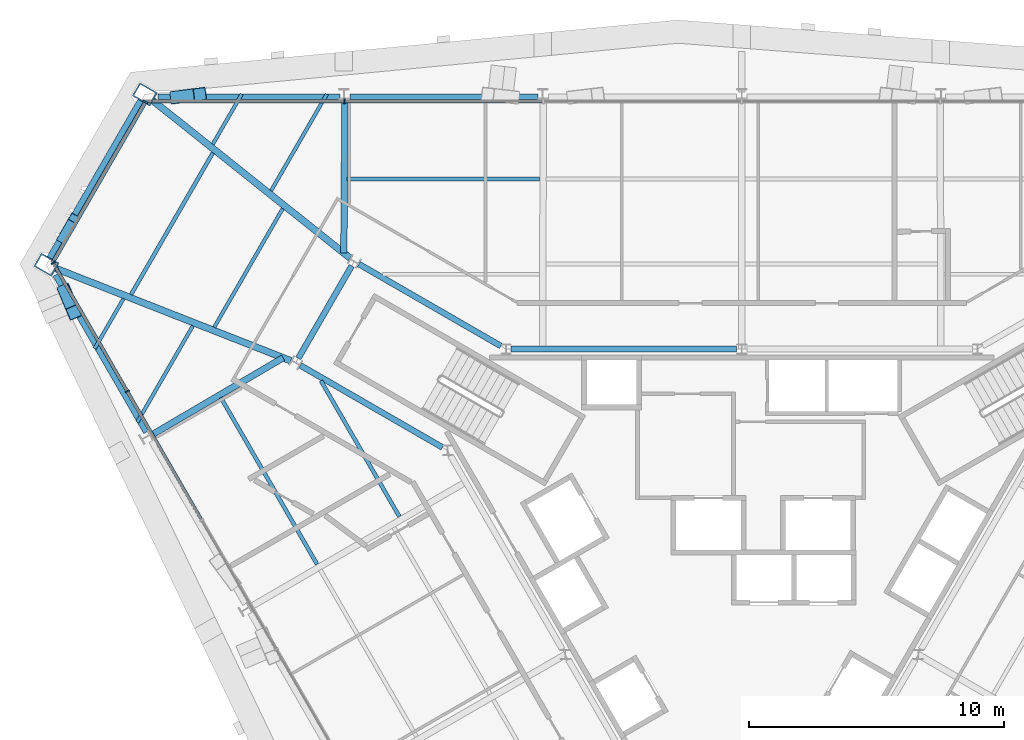
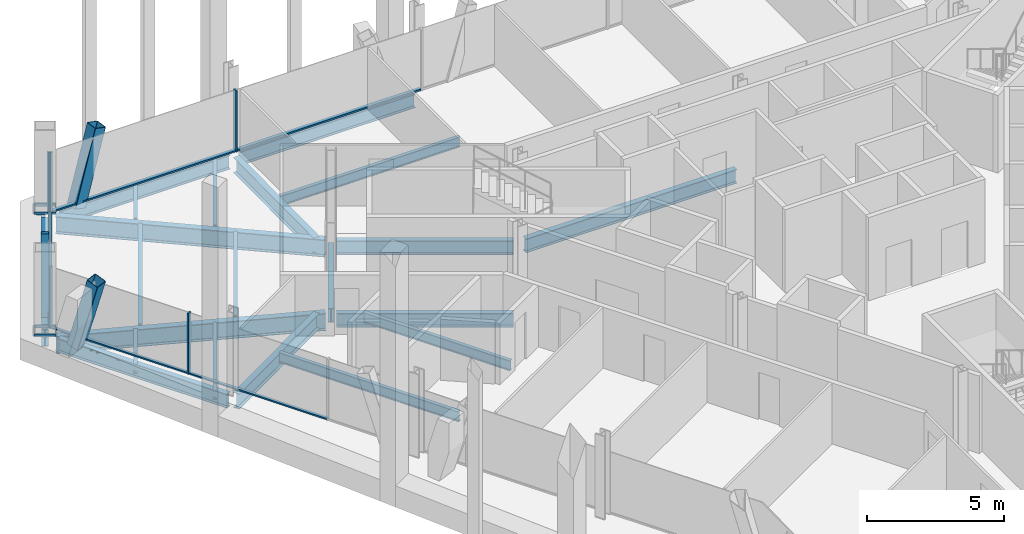
# One storey, part 8 of 17: 21 beams, 14 members, 3 elements without a shape of their own.
"""IFC4 building model written with IfcOpenShell, lengths in metres."""

from ifc_helpers import new_model, si_unit, direction, frame, origin, origin_2d, place, context, subcontext, project, spatial, rectangle, hollow_rectangle, i_section, extrude, material, material_profile, profile_set, type_object, element, aggregate, save


model = new_model("IFC4")

# Units and contexts
model_context = context("Model", 3, precision=1e-05, world=origin(), true_north=direction((0.0, 1.0)))
body_context = subcontext(model_context, "Body", "Model", "MODEL_VIEW")
ifc_project = project(units=[si_unit("LENGTHUNIT", "METRE"), si_unit("AREAUNIT", "SQUARE_METRE"), si_unit("VOLUMEUNIT", "CUBIC_METRE"), si_unit("PLANEANGLEUNIT", "RADIAN"), si_unit("MASSUNIT", "GRAM", prefix="KILO")], contexts=[model_context])

# Site, building, storey
site_placement = place(None, origin())
site = spatial("IfcSite", under=ifc_project, at=site_placement, CompositionType="ELEMENT")
building_placement = place(site_placement, origin())
building = spatial("IfcBuilding", under=site, at=building_placement, Name="Verrane Prism Tower", CompositionType="ELEMENT")
storey_placement = place(building_placement, frame((0.0, 0.0, 178.39990234375)))
storey = spatial("IfcBuildingStorey", under=building, at=storey_placement, Name="L44", CompositionType="ELEMENT", Elevation=178.39990234375)

# Member
ifc_material_1 = material(Name="Steel A500 Grade C", Category="steel")
ifc_material_profile_1 = material_profile(ifc_material_1, hollow_rectangle(XDim=0.3046875, YDim=0.3046875, WallThickness=0.0126953125, InnerFilletRadius=0.00634765625, OuterFilletRadius=0.01904296875, at=origin_2d()), Name="HSS12x12x1/2")
ifc_profile_set_1 = profile_set([ifc_material_profile_1], Name="Steel A500 Grade C")
member_type_1 = type_object("IfcMemberType", Name="Chamfer brace HSS12x12x1/2", PredefinedType="BRACE", material=ifc_profile_set_1)
member_1_placement = place(storey_placement, frame((-26.722900390625, 12.34375, -0.242431640625), z_axis=(0.143149284045, 0.247839428161, 0.958166948045), x_axis=(-0.865935940821, 0.500154922393, 0.0)))
element("IfcMember", 1, at=member_1_placement, inside=storey, type_object=member_type_1, Name="Chamfer brace NW0 L44", PredefinedType="BRACE", context=body_context, shape_type="SweptSolid", body=[
    extrude(hollow_rectangle(XDim=0.3046875, YDim=0.3046875, WallThickness=0.0126953125, InnerFilletRadius=0.00634765625, OuterFilletRadius=0.01904296875, at=origin_2d()), origin(), (0.0, 0.0, 1.0), 3.243896484375),
])

# Beams
ifc_material_2 = material(Name="Steel A992", Category="steel")
ifc_material_profile_2 = material_profile(ifc_material_2, i_section(OverallWidth=0.2666015625, OverallDepth=0.7568359375, WebThickness=0.013916015625, FlangeThickness=0.019287109375, FilletRadius=0.0166015625, at=origin_2d()), Name="W30x108")
ifc_profile_set_2 = profile_set([ifc_material_profile_2], Name="Steel A992")
beam_type_1 = type_object("IfcBeamType", Name="Chamfer spandrel beam W30x108", PredefinedType="SPANDREL", material=ifc_profile_set_2)
beam_1_placement = place(storey_placement, frame((-23.60009765625, 17.750244140625, -0.538330078125), z_axis=(-0.500163614961, -0.865930920033, 0.0), x_axis=(0.865930920033, -0.500163614961, 0.0)))
element("IfcBeam", 2, at=beam_1_placement, inside=storey, type_object=beam_type_1, Name="Chamfer spandrel beam L44", PredefinedType="SPANDREL", context=body_context, shape_type="SweptSolid", body=[
    extrude(i_section(OverallWidth=0.2666015625, OverallDepth=0.7568359375, WebThickness=0.013916015625, FlangeThickness=0.019287109375, FilletRadius=0.0166015625, at=origin_2d()), origin(), (0.0, 0.0, 1.0), 7.13720703125),
])
ifc_material_3 = material(Name="Steel A992", Category="steel")
ifc_material_profile_3 = material_profile(ifc_material_3, i_section(OverallWidth=0.23046875, OverallDepth=0.6171875, WebThickness=0.01318359375, FlangeThickness=0.022216796875, FilletRadius=0.012939453125, at=origin_2d()), Name="W24x94")
ifc_profile_set_3 = profile_set([ifc_material_profile_3], Name="Steel A992")
beam_type_2 = type_object("IfcBeamType", Name="Core ring girder W24x94", PredefinedType="BEAM", material=ifc_profile_set_3)
beam_2_placement = place(storey_placement, frame((-0.20068359375, 8.0, -0.55859375), z_axis=(-1.0, 0.0, 0.0), x_axis=(0.0, -1.0, 0.0)))
element("IfcBeam", 3, at=beam_2_placement, inside=storey, type_object=beam_type_2, Name="Core ring girder L44", PredefinedType="BEAM", context=body_context, shape_type="SweptSolid", body=[
    extrude(i_section(OverallWidth=0.23046875, OverallDepth=0.6171875, WebThickness=0.01318359375, FlangeThickness=0.022216796875, FilletRadius=0.012939453125, at=origin_2d()), origin(), (0.0, 0.0, 1.0), 8.858642578125),
])
beam_3_placement = place(storey_placement, frame((-9.460693359375, 8.11572265625, -0.55859375), z_axis=(-0.866075143088, 0.499913839102, 0.0), x_axis=(-0.499913839102, -0.866075143088, 0.0)))
element("IfcBeam", 4, at=beam_3_placement, inside=storey, type_object=beam_type_2, Name="Core ring girder L44", PredefinedType="BEAM", context=body_context, shape_type="SweptSolid", body=[
    extrude(i_section(OverallWidth=0.23046875, OverallDepth=0.6171875, WebThickness=0.01318359375, FlangeThickness=0.022216796875, FilletRadius=0.012939453125, at=origin_2d()), origin(), (0.0, 0.0, 1.0), 6.441650390625),
])
beam_4_placement = place(storey_placement, frame((-15.32177734375, 11.26416015625, -0.55859375), z_axis=(-0.500305747711, -0.865848808284, 0.0), x_axis=(0.865848808284, -0.500305747711, 0.0)))
element("IfcBeam", 5, at=beam_4_placement, inside=storey, type_object=beam_type_2, Name="Core ring girder L44", PredefinedType="BEAM", context=body_context, shape_type="SweptSolid", body=[
    extrude(i_section(OverallWidth=0.23046875, OverallDepth=0.6171875, WebThickness=0.01318359375, FlangeThickness=0.022216796875, FilletRadius=0.012939453125, at=origin_2d()), origin(), (0.0, 0.0, 1.0), 4.1904296875),
])
beam_5_placement = place(storey_placement, frame((-17.339599609375, 7.35595703125, -0.55859375), z_axis=(0.866075143088, -0.499913839102, 0.0), x_axis=(0.499913839102, 0.866075143088, 0.0)))
element("IfcBeam", 6, at=beam_5_placement, inside=storey, type_object=beam_type_2, Name="Core ring girder L44", PredefinedType="BEAM", context=body_context, shape_type="SweptSolid", body=[
    extrude(i_section(OverallWidth=0.23046875, OverallDepth=0.6171875, WebThickness=0.01318359375, FlangeThickness=0.022216796875, FilletRadius=0.012939453125, at=origin_2d()), origin(), (0.0, 0.0, 1.0), 6.441650390625),
])
ifc_material_4 = material(Name="Steel A992", Category="steel")
ifc_material_profile_4 = material_profile(ifc_material_4, i_section(OverallWidth=0.2666015625, OverallDepth=0.76708984375, WebThickness=0.014892578125, FlangeThickness=0.023681640625, FilletRadius=0.0166015625, at=origin_2d()), Name="W30x124")
ifc_profile_set_4 = profile_set([ifc_material_profile_4], Name="Steel A992")
beam_type_3 = type_object("IfcBeamType", Name="Corner girder W30x124", PredefinedType="BEAM", material=ifc_profile_set_4)
beam_6_placement = place(storey_placement, frame((-23.1337890625, 17.757568359375, -0.603515625), z_axis=(0.781514558867, -0.623887004415, 0.0), x_axis=(0.623887004415, 0.781514558867, 0.0)))
element("IfcBeam", 7, at=beam_6_placement, inside=storey, type_object=beam_type_3, Name="Corner girder L44", PredefinedType="BEAM", context=body_context, shape_type="SweptSolid", body=[
    extrude(i_section(OverallWidth=0.2666015625, OverallDepth=0.76708984375, WebThickness=0.014892578125, FlangeThickness=0.023681640625, FilletRadius=0.0166015625, at=origin_2d()), origin(), (0.0, 0.0, 1.0), 9.915771484375),
])
beam_7_placement = place(storey_placement, frame((-26.943603515625, 11.162109375, -0.603515625), z_axis=(0.930755085218, -0.365643229583, 0.0), x_axis=(0.365643229583, 0.930755085218, 0.0)))
element("IfcBeam", 8, at=beam_7_placement, inside=storey, type_object=beam_type_3, Name="Corner girder L44", PredefinedType="BEAM", context=body_context, shape_type="SweptSolid", body=[
    extrude(i_section(OverallWidth=0.2666015625, OverallDepth=0.76708984375, WebThickness=0.014892578125, FlangeThickness=0.023681640625, FilletRadius=0.0166015625, at=origin_2d()), origin(), (0.0, 0.0, 1.0), 9.9140625),
])

# Members
ifc_material_5 = material(Name="Steel A500 Grade C", Category="steel")
ifc_material_profile_5 = material_profile(ifc_material_5, hollow_rectangle(XDim=0.508056640625, YDim=0.508056640625, WallThickness=0.01904296875, InnerFilletRadius=0.009521484375, OuterFilletRadius=0.028564453125, at=origin_2d()), Name="HSS20x20x3/4")
ifc_profile_set_5 = profile_set([ifc_material_profile_5], Name="Steel A500 Grade C")
member_type_2 = type_object("IfcMemberType", Name="Facade brace HSS20x20x3/4", PredefinedType="BRACE", material=ifc_profile_set_5)
member_2_placement = place(storey_placement, frame((-22.198486328125, 17.89453125, -0.216552734375), z_axis=(0.273925074189, 0.034727032992, 0.96112386658), x_axis=(-0.125769007922, 0.992059552974, 0.0)))
element("IfcMember", 9, at=member_2_placement, inside=storey, type_object=member_type_2, Name="Facade brace N5 L44", PredefinedType="BRACE", context=body_context, shape_type="SweptSolid", body=[
    extrude(hollow_rectangle(XDim=0.508056640625, YDim=0.508056640625, WallThickness=0.01904296875, InnerFilletRadius=0.009521484375, OuterFilletRadius=0.028564453125, at=origin_2d()), origin(), (0.0, 0.0, 1.0), 3.325439453125),
])
member_3_placement = place(storey_placement, frame((-26.59375, 10.281982421875, -0.216552734375), z_axis=(0.10677153414, -0.253931200177, 0.961310972097), x_axis=(0.921825945388, 0.387604084614, 0.0)))
element("IfcMember", 10, at=member_3_placement, inside=storey, type_object=member_type_2, Name="Facade brace SW0 L44", PredefinedType="BRACE", context=body_context, shape_type="SweptSolid", body=[
    extrude(hollow_rectangle(XDim=0.508056640625, YDim=0.508056640625, WallThickness=0.01904296875, InnerFilletRadius=0.009521484375, OuterFilletRadius=0.028564453125, at=origin_2d()), origin(), (0.0, 0.0, 1.0), 3.32470703125),
])

# Beams
ifc_material_6 = material(Name="Steel A992", Category="steel")
ifc_material_profile_6 = material_profile(ifc_material_6, i_section(OverallWidth=0.140380859375, OverallDepth=0.40380859375, WebThickness=0.007080078125, FlangeThickness=0.01123046875, FilletRadius=0.01025390625, at=origin_2d()), Name="W16x31")
ifc_profile_set_6 = profile_set([ifc_material_profile_6], Name="Steel A992")
beam_type_4 = type_object("IfcBeamType", Name="Floor beam W16x31", PredefinedType="BEAM", material=ifc_profile_set_6)
beam_8_placement = place(storey_placement, frame((-18.4853515625, 14.21923828125, -0.36181640625), z_axis=(0.499978346259, 0.866037905217, 0.0), x_axis=(-0.866037905217, 0.499978346259, 0.0)))
element("IfcBeam", 11, at=beam_8_placement, inside=storey, type_object=beam_type_4, Name="Floor beam L44", PredefinedType="BEAM", context=body_context, shape_type="SweptSolid", body=[
    extrude(i_section(OverallWidth=0.140380859375, OverallDepth=0.40380859375, WebThickness=0.007080078125, FlangeThickness=0.01123046875, FilletRadius=0.01025390625, at=origin_2d()), origin(), (0.0, 0.0, 1.0), 4.377197265625),
])
beam_9_placement = place(storey_placement, frame((-20.77587890625, 16.046875, -0.36181640625), z_axis=(0.50004252553, 0.866000850266, 0.0), x_axis=(-0.866000850266, 0.50004252553, 0.0)))
element("IfcBeam", 12, at=beam_9_placement, inside=storey, type_object=beam_type_4, Name="Floor beam L44", PredefinedType="BEAM", context=body_context, shape_type="SweptSolid", body=[
    extrude(i_section(OverallWidth=0.140380859375, OverallDepth=0.40380859375, WebThickness=0.007080078125, FlangeThickness=0.01123046875, FilletRadius=0.01025390625, at=origin_2d()), origin(), (0.0, 0.0, 1.0), 2.266845703125),
])
beam_10_placement = place(storey_placement, frame((-23.74609375, 5.12158203125, -0.36181640625), z_axis=(0.500001698484, 0.866024423162, 0.0), x_axis=(-0.866024423162, 0.500001698484, 0.0)))
element("IfcBeam", 13, at=beam_10_placement, inside=storey, type_object=beam_type_4, Name="Floor beam L44", PredefinedType="BEAM", context=body_context, shape_type="SweptSolid", body=[
    extrude(i_section(OverallWidth=0.140380859375, OverallDepth=0.40380859375, WebThickness=0.007080078125, FlangeThickness=0.01123046875, FilletRadius=0.01025390625, at=origin_2d()), origin(), (0.0, 0.0, 1.0), 4.3642578125),
])
beam_11_placement = place(storey_placement, frame((-25.41748046875, 8.015869140625, -0.36181640625), z_axis=(0.49995000081, 0.866054268906, 0.0), x_axis=(-0.866054268906, 0.49995000081, 0.0)))
element("IfcBeam", 14, at=beam_11_placement, inside=storey, type_object=beam_type_4, Name="Floor beam L44", PredefinedType="BEAM", context=body_context, shape_type="SweptSolid", body=[
    extrude(i_section(OverallWidth=0.140380859375, OverallDepth=0.40380859375, WebThickness=0.007080078125, FlangeThickness=0.01123046875, FilletRadius=0.01025390625, at=origin_2d()), origin(), (0.0, 0.0, 1.0), 2.260009765625),
])
beam_12_placement = place(storey_placement, frame((-20.72021484375, 8.856201171875, -0.36181640625), z_axis=(0.500019726309, 0.866014014495, 0.0), x_axis=(-0.866014014495, 0.500019726309, 0.0)))
element("IfcBeam", 15, at=beam_12_placement, inside=storey, type_object=beam_type_4, Name="Floor beam L44", PredefinedType="BEAM", context=body_context, shape_type="SweptSolid", body=[
    extrude(i_section(OverallWidth=0.140380859375, OverallDepth=0.40380859375, WebThickness=0.007080078125, FlangeThickness=0.01123046875, FilletRadius=0.01025390625, at=origin_2d()), origin(), (0.0, 0.0, 1.0), 5.379150390625),
])
ifc_material_7 = material(Name="Steel A992", Category="steel")
ifc_material_profile_7 = material_profile(ifc_material_7, i_section(OverallWidth=0.15234375, OverallDepth=0.449462890625, WebThickness=0.007568359375, FlangeThickness=0.0107421875, FilletRadius=0.01025390625, at=origin_2d()), Name="W18x35")
ifc_profile_set_7 = profile_set([ifc_material_profile_7], Name="Steel A992")
beam_type_5 = type_object("IfcBeamType", Name="Floor beam W18x35", PredefinedType="BEAM", material=ifc_profile_set_7)
beam_13_placement = place(storey_placement, frame((-15.5029296875, 14.67333984375, -0.384765625), z_axis=(1.0, 0.0, 0.0), x_axis=(0.0, 1.0, 0.0)))
element("IfcBeam", 16, at=beam_13_placement, inside=storey, type_object=beam_type_5, Name="Floor beam L44", PredefinedType="BEAM", context=body_context, shape_type="SweptSolid", body=[
    extrude(i_section(OverallWidth=0.15234375, OverallDepth=0.449462890625, WebThickness=0.007568359375, FlangeThickness=0.0107421875, FilletRadius=0.01025390625, at=origin_2d()), origin(), (0.0, 0.0, 1.0), 7.555908203125),
])
beam_14_placement = place(storey_placement, frame((-13.446044921875, 1.41357421875, -0.384765625), z_axis=(-0.500025052272, 0.866010939365, 0.0), x_axis=(-0.866010939365, -0.500025052272, 0.0)))
element("IfcBeam", 17, at=beam_14_placement, inside=storey, type_object=beam_type_5, Name="Floor beam L44", PredefinedType="BEAM", context=body_context, shape_type="SweptSolid", body=[
    extrude(i_section(OverallWidth=0.15234375, OverallDepth=0.449462890625, WebThickness=0.007568359375, FlangeThickness=0.0107421875, FilletRadius=0.01025390625, at=origin_2d()), origin(), (0.0, 0.0, 1.0), 6.169189453125),
])
beam_15_placement = place(storey_placement, frame((-16.68310546875, -0.453125, -0.384765625), z_axis=(-0.499994554566, 0.866028547684, 0.0), x_axis=(-0.866028547684, -0.499994554566, 0.0)))
element("IfcBeam", 18, at=beam_15_placement, inside=storey, type_object=beam_type_5, Name="Floor beam L44", PredefinedType="BEAM", context=body_context, shape_type="SweptSolid", body=[
    extrude(i_section(OverallWidth=0.15234375, OverallDepth=0.449462890625, WebThickness=0.007568359375, FlangeThickness=0.0107421875, FilletRadius=0.01025390625, at=origin_2d()), origin(), (0.0, 0.0, 1.0), 7.5595703125),
])
beam_16_placement = place(storey_placement, frame((-23.986328125, 10.1416015625, -0.384765625), z_axis=(0.500002112793, 0.866024183959, 0.0), x_axis=(-0.866024183959, 0.500002112793, 0.0)))
element("IfcBeam", 19, at=beam_16_placement, inside=storey, type_object=beam_type_5, Name="Floor beam L44", PredefinedType="BEAM", context=body_context, shape_type="SweptSolid", body=[
    extrude(i_section(OverallWidth=0.15234375, OverallDepth=0.449462890625, WebThickness=0.007568359375, FlangeThickness=0.0107421875, FilletRadius=0.01025390625, at=origin_2d()), origin(), (0.0, 0.0, 1.0), 6.42333984375),
])

# Members
ifc_material_8 = material(Name="Steel A572 Grade 50", Category="steel")
ifc_material_profile_8 = material_profile(ifc_material_8, hollow_rectangle(XDim=0.60009765625, YDim=0.800048828125, WallThickness=0.050048828125, at=origin_2d()), Name="BOX 800x600x50")
ifc_profile_set_8 = profile_set([ifc_material_profile_8], Name="Steel A572 Grade 50")
member_type_3 = type_object("IfcMemberType", Name="Kink node BOX 800x600x50", PredefinedType="COLLAR", material=ifc_profile_set_8)
for number, where, z_axis, x_axis, name in (
    (20, (-23.446533203125, 18.00390625, -0.06494140625), (0.0, 0.0, 1.0), (0.5, 0.866025403784, 0.0), "Kink node MC4 L44"),
    (21, (-27.31298828125, 11.309814453125, -0.06494140625), (0.0, 0.0, 1.0), (0.5, 0.866025403784, 0.0), "Kink node MC4 L44"),
):
    element("IfcMember", number, at=place(storey_placement, frame(where, z_axis=z_axis, x_axis=x_axis)), inside=storey, type_object=member_type_3, Name=name, PredefinedType="COLLAR", context=body_context, shape_type="SweptSolid", body=[
        extrude(hollow_rectangle(XDim=0.60009765625, YDim=0.800048828125, WallThickness=0.050048828125, at=origin_2d()), origin(), (0.0, 0.0, 1.0), 0.130126953125),
    ])

# Curtain wall, members
ifc_material_9 = material(Name="Aluminium framed insulated glazing", Category="aluminium")
curtain_wall_type_1 = type_object("IfcCurtainWallType", Name="Curtain wall CW-B 5600 module", PredefinedType="NOTDEFINED", material=ifc_material_9)
curtain_wall_1_placement = place(storey_placement, origin())
curtain_wall_1 = element("IfcCurtainWall", 22, at=curtain_wall_1_placement, inside=storey, type_object=curtain_wall_type_1, Name="Glazed curtain wall south-west face L44", PredefinedType="NOTDEFINED")
ifc_material_10 = material(Name="Aluminium alloy 6063-T6", Category="aluminium")
ifc_material_profile_9 = material_profile(ifc_material_10, rectangle(XDim=0.159912109375, YDim=0.06005859375, at=origin_2d()), Name="Mullion 60x160 aluminium")
ifc_profile_set_9 = profile_set([ifc_material_profile_9], Name="Aluminium alloy 6063-T6")
member_type_4 = type_object("IfcMemberType", Name="Mullion 60x160 aluminium", PredefinedType="MULLION", material=ifc_profile_set_9)
member_4_placement = place(storey_placement, frame((-27.044677734375, 11.380859375, 0.0), z_axis=(0.0, 0.0, 1.0), x_axis=(0.866025734201, 0.499999427701, 0.0)))
member_4 = element("IfcMember", 23, at=member_4_placement, type_object=member_type_4, Name="CW44.4 mullion 1", PredefinedType="MULLION", context=body_context, shape_type="SweptSolid", body=[
    extrude(rectangle(XDim=0.159912109375, YDim=0.06005859375, at=origin_2d()), origin(), (0.0, 0.0, 1.0), 2.712890625),
])
member_5_placement = place(storey_placement, frame((-24.133544921875, 6.338623046875, 0.0), z_axis=(0.0, 0.0, 1.0), x_axis=(0.866025734201, 0.499999427701, 0.0)))
member_5 = element("IfcMember", 24, at=member_5_placement, type_object=member_type_4, Name="CW44.4 mullion 2", PredefinedType="MULLION", context=body_context, shape_type="SweptSolid", body=[
    extrude(rectangle(XDim=0.159912109375, YDim=0.06005859375, at=origin_2d()), origin(), (0.0, 0.0, 1.0), 2.712890625),
])

# Curtain wall, member
ifc_material_11 = material(Name="Aluminium framed insulated glazing", Category="aluminium")
curtain_wall_type_2 = type_object("IfcCurtainWallType", Name="Curtain wall CW-A 8400 module", PredefinedType="NOTDEFINED", material=ifc_material_11)
curtain_wall_2_placement = place(storey_placement, origin())
curtain_wall_2 = element("IfcCurtainWall", 25, at=curtain_wall_2_placement, inside=storey, type_object=curtain_wall_type_2, Name="Glazed curtain wall north face L44", PredefinedType="NOTDEFINED")
ifc_material_12 = material(Name="Aluminium alloy 6063-T6", Category="aluminium")
ifc_material_profile_10 = material_profile(ifc_material_12, rectangle(XDim=0.199951171875, YDim=0.070068359375, at=origin_2d()), Name="Mullion 70x200 aluminium")
ifc_profile_set_10 = profile_set([ifc_material_profile_10], Name="Aluminium alloy 6063-T6")
member_type_5 = type_object("IfcMemberType", Name="Mullion 70x200 aluminium", PredefinedType="MULLION", material=ifc_profile_set_10)
member_6_placement = place(storey_placement, frame((-15.605712890625, 17.73095703125, 0.0), z_axis=(0.0, 0.0, 1.0), x_axis=(0.0, -1.0, 0.0)))
member_6 = element("IfcMember", 26, at=member_6_placement, type_object=member_type_5, Name="CW44.2 mullion 6", PredefinedType="MULLION", context=body_context, shape_type="SweptSolid", body=[
    extrude(rectangle(XDim=0.199951171875, YDim=0.070068359375, at=origin_2d()), origin(), (0.0, 0.0, 1.0), 2.712890625),
])

curtain_wall_3_placement = place(storey_placement, origin())
curtain_wall_3 = element("IfcCurtainWall", 27, at=curtain_wall_3_placement, inside=storey, type_object=curtain_wall_type_2, Name="Glazed curtain wall north-west corner L44", PredefinedType="NOTDEFINED")
member_7_placement = place(storey_placement, frame((-23.42578125, 17.70068359375, 0.0), z_axis=(0.0, 0.0, 1.0), x_axis=(0.866024133208, -0.500002200696, 0.0)))
member_7 = element("IfcMember", 28, at=member_7_placement, type_object=member_type_5, Name="CW44.3 mullion 1", PredefinedType="MULLION", context=body_context, shape_type="SweptSolid", body=[
    extrude(rectangle(XDim=0.199951171875, YDim=0.070068359375, at=origin_2d()), origin(), (0.0, 0.0, 1.0), 2.712890625),
])

# Beams
ifc_material_13 = material(Name="Steel A992", Category="steel")
ifc_material_profile_11 = material_profile(ifc_material_13, i_section(OverallWidth=0.25390625, OverallDepth=0.683349609375, WebThickness=0.012451171875, FlangeThickness=0.01904296875, FilletRadius=0.01513671875, at=origin_2d()), Name="W27x94")
ifc_profile_set_11 = profile_set([ifc_material_profile_11], Name="Steel A992")
beam_type_6 = type_object("IfcBeamType", Name="Radial girder W27x94", PredefinedType="BEAM", material=ifc_profile_set_11)
beam_17_placement = place(storey_placement, frame((-15.588623046875, 17.686279296875, -0.5615234375), z_axis=(-0.006970627542, -0.999975704881, 0.0), x_axis=(0.999975704881, -0.006970627542, 0.0)))
element("IfcBeam", 29, at=beam_17_placement, inside=storey, type_object=beam_type_6, Name="Radial girder L44", PredefinedType="BEAM", context=body_context, shape_type="SweptSolid", body=[
    extrude(i_section(OverallWidth=0.25390625, OverallDepth=0.683349609375, WebThickness=0.012451171875, FlangeThickness=0.01904296875, FilletRadius=0.01513671875, at=origin_2d()), origin(), (0.0, 0.0, 1.0), 5.919189453125),
])
beam_18_placement = place(storey_placement, frame((-23.1083984375, 4.66357421875, -0.5615234375), z_axis=(0.862298466837, 0.50640038911, 0.0), x_axis=(-0.50640038911, 0.862298466837, 0.0)))
element("IfcBeam", 30, at=beam_18_placement, inside=storey, type_object=beam_type_6, Name="Radial girder L44", PredefinedType="BEAM", context=body_context, shape_type="SweptSolid", body=[
    extrude(i_section(OverallWidth=0.25390625, OverallDepth=0.683349609375, WebThickness=0.012451171875, FlangeThickness=0.01904296875, FilletRadius=0.01513671875, at=origin_2d()), origin(), (0.0, 0.0, 1.0), 5.90625),
])
ifc_material_14 = material(Name="Steel A992", Category="steel")
ifc_material_profile_12 = material_profile(ifc_material_14, i_section(OverallWidth=0.23046875, OverallDepth=0.6171875, WebThickness=0.01318359375, FlangeThickness=0.022216796875, FilletRadius=0.012939453125, at=origin_2d()), Name="W24x94")
ifc_profile_set_12 = profile_set([ifc_material_profile_12], Name="Steel A992")
beam_type_7 = type_object("IfcBeamType", Name="Spandrel beam W24x94", PredefinedType="SPANDREL", material=ifc_profile_set_12)
beam_19_placement = place(storey_placement, frame((-8.0, 17.89453125, -0.468505859375), z_axis=(-1.0, 0.0, 0.0), x_axis=(0.0, -1.0, 0.0)))
element("IfcBeam", 31, at=beam_19_placement, inside=storey, type_object=beam_type_7, Name="Spandrel beam L44", PredefinedType="SPANDREL", context=body_context, shape_type="SweptSolid", body=[
    extrude(i_section(OverallWidth=0.23046875, OverallDepth=0.6171875, WebThickness=0.01318359375, FlangeThickness=0.022216796875, FilletRadius=0.012939453125, at=origin_2d()), origin(), (0.0, 0.0, 1.0), 7.3837890625),
])
beam_20_placement = place(storey_placement, frame((-15.790283203125, 17.89453125, -0.468505859375), z_axis=(-1.0, 0.0, 0.0), x_axis=(0.0, -1.0, 0.0)))
element("IfcBeam", 32, at=beam_20_placement, inside=storey, type_object=beam_type_7, Name="Spandrel beam L44", PredefinedType="SPANDREL", context=body_context, shape_type="SweptSolid", body=[
    extrude(i_section(OverallWidth=0.23046875, OverallDepth=0.6171875, WebThickness=0.01318359375, FlangeThickness=0.022216796875, FilletRadius=0.012939453125, at=origin_2d()), origin(), (0.0, 0.0, 1.0), 7.1318359375),
])
beam_21_placement = place(storey_placement, frame((-26.95556640625, 10.908447265625, -0.468505859375), z_axis=(0.500123562655, -0.865954053098, 0.0), x_axis=(0.865954053098, 0.500123562655, 0.0)))
element("IfcBeam", 33, at=beam_21_placement, inside=storey, type_object=beam_type_7, Name="Spandrel beam L44", PredefinedType="SPANDREL", context=body_context, shape_type="SweptSolid", body=[
    extrude(i_section(OverallWidth=0.23046875, OverallDepth=0.6171875, WebThickness=0.01318359375, FlangeThickness=0.022216796875, FilletRadius=0.012939453125, at=origin_2d()), origin(), (0.0, 0.0, 1.0), 7.130126953125),
])

# Member
ifc_material_15 = material(Name="Aluminium alloy 6063-T6", Category="aluminium")
ifc_material_profile_13 = material_profile(ifc_material_15, rectangle(XDim=0.1201171875, YDim=0.06005859375, at=origin_2d()), Name="Transom 60x120 aluminium")
ifc_profile_set_13 = profile_set([ifc_material_profile_13], Name="Aluminium alloy 6063-T6")
member_type_6 = type_object("IfcMemberType", Name="Transom 60x120 aluminium", PredefinedType="USERDEFINED", material=ifc_profile_set_13)
member_8_placement = place(storey_placement, frame((-27.02978515625, 11.354736328125, 0.030029296875), z_axis=(0.500017091667, -0.866015535681, 0.0), x_axis=(0.866015535681, 0.500017091667, 0.0)))
member_8 = element("IfcMember", 34, at=member_8_placement, type_object=member_type_6, Name="CW44.4 transom 1", ObjectType="TRANSOM", PredefinedType="USERDEFINED", context=body_context, shape_type="SweptSolid", body=[
    extrude(rectangle(XDim=0.1201171875, YDim=0.06005859375, at=origin_2d()), origin(), (0.0, 0.0, 1.0), 5.761962890625),
])

member_9_placement = place(storey_placement, frame((-24.11865234375, 6.312744140625, 0.030029296875), z_axis=(0.499992456128, -0.866029759197, 0.0), x_axis=(0.866029759197, 0.499992456128, 0.0)))
member_9 = element("IfcMember", 35, at=member_9_placement, type_object=member_type_6, Name="CW44.4 transom 2", ObjectType="TRANSOM", PredefinedType="USERDEFINED", context=body_context, shape_type="SweptSolid", body=[
    extrude(rectangle(XDim=0.1201171875, YDim=0.06005859375, at=origin_2d()), origin(), (0.0, 0.0, 1.0), 5.7919921875),
])

aggregate(curtain_wall_1, [member_4, member_5, member_8, member_9])

ifc_material_16 = material(Name="Aluminium alloy 6063-T6", Category="aluminium")
ifc_material_profile_14 = material_profile(ifc_material_16, rectangle(XDim=0.14990234375, YDim=0.070068359375, at=origin_2d()), Name="Transom 70x150 aluminium")
ifc_profile_set_14 = profile_set([ifc_material_profile_14], Name="Aluminium alloy 6063-T6")
member_type_7 = type_object("IfcMemberType", Name="Transom 70x150 aluminium", PredefinedType="USERDEFINED", material=ifc_profile_set_14)
member_10_placement = place(storey_placement, frame((-7.837890625, 17.73095703125, 0.03515625), z_axis=(-1.0, 0.0, 0.0), x_axis=(0.0, -1.0, 0.0)))
member_10 = element("IfcMember", 36, at=member_10_placement, type_object=member_type_7, Name="CW44.2 transom 5", ObjectType="TRANSOM", PredefinedType="USERDEFINED", context=body_context, shape_type="SweptSolid", body=[
    extrude(rectangle(XDim=0.14990234375, YDim=0.070068359375, at=origin_2d()), origin(), (0.0, 0.0, 1.0), 7.732666015625),
])

member_11_placement = place(storey_placement, frame((-15.640625, 17.73095703125, 0.03515625), z_axis=(-1.0, 0.0, 0.0), x_axis=(0.0, -1.0, 0.0)))
member_11 = element("IfcMember", 37, at=member_11_placement, type_object=member_type_7, Name="CW44.2 transom 6", ObjectType="TRANSOM", PredefinedType="USERDEFINED", context=body_context, shape_type="SweptSolid", body=[
    extrude(rectangle(XDim=0.14990234375, YDim=0.070068359375, at=origin_2d()), origin(), (0.0, 0.0, 1.0), 7.767822265625),
])

aggregate(curtain_wall_2, [member_6, member_10, member_11])

member_12_placement = place(storey_placement, frame((-23.443359375, 17.67041015625, 0.03515625), z_axis=(-0.500012695882, -0.866018073689, 0.0), x_axis=(0.866018073689, -0.500012695882, 0.0)))
member_12 = element("IfcMember", 38, at=member_12_placement, type_object=member_type_7, Name="CW44.3 transom 1", ObjectType="TRANSOM", PredefinedType="USERDEFINED", context=body_context, shape_type="SweptSolid", body=[
    extrude(rectangle(XDim=0.14990234375, YDim=0.070068359375, at=origin_2d()), origin(), (0.0, 0.0, 1.0), 7.232666015625),
])

aggregate(curtain_wall_3, [member_7, member_12])

save(model, "model.ifc")
